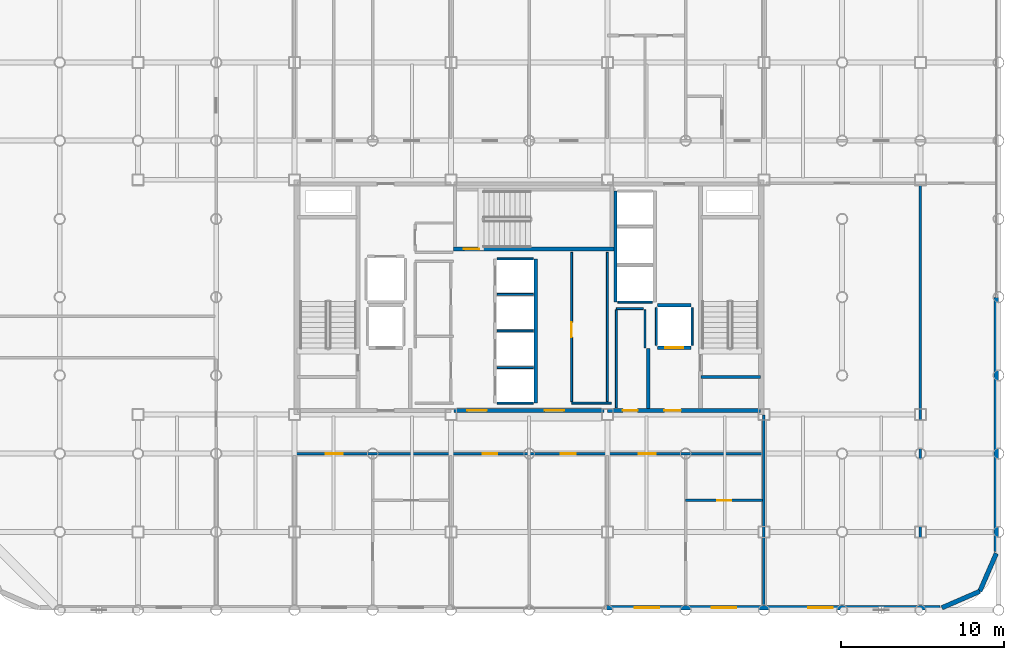
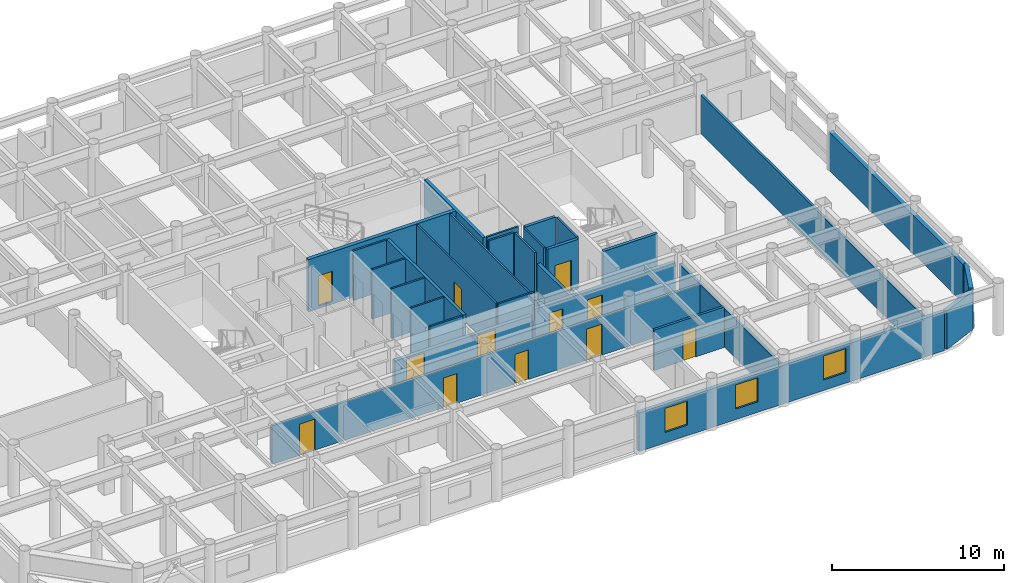
# One storey, part 17 of 20: 31 walls, 12 doors, 3 windows, 15 openings.
"""IFC4 building model written with IfcOpenShell, lengths in metres."""

from ifc_helpers import new_model, si_unit, direction, frame, frame_2d, origin, place, context, subcontext, project, spatial, rectangle, extrude, material, layer, layer_set, type_object, element, fill, save


model = new_model("IFC4")

# Units and contexts
model_context = context("Model", 3, precision=1e-05, world=origin(), true_north=direction((0.0, 1.0)))
body_context = subcontext(model_context, "Body", "Model", "MODEL_VIEW")
ifc_project = project(units=[si_unit("LENGTHUNIT", "METRE"), si_unit("AREAUNIT", "SQUARE_METRE"), si_unit("VOLUMEUNIT", "CUBIC_METRE"), si_unit("PLANEANGLEUNIT", "RADIAN"), si_unit("MASSUNIT", "GRAM", prefix="KILO")], contexts=[model_context])

# Site, building, storey
site_placement = place(None, origin())
site = spatial("IfcSite", under=ifc_project, at=site_placement, CompositionType="ELEMENT")
building_placement = place(site_placement, origin())
building = spatial("IfcBuilding", under=site, at=building_placement, Name="Kallvorn Hotel Tower", CompositionType="ELEMENT")
storey_placement = place(building_placement, frame((0.0, 0.0, 143.300048828125)))
storey = spatial("IfcBuildingStorey", under=building, at=storey_placement, Name="L35", CompositionType="ELEMENT", Elevation=143.300048828125)

# Wall, opening, door
ifc_material_1 = material(Name="Fire-rated double-layer acoustic gypsum drywall EI 60")
ifc_layer_1 = layer(ifc_material_1, 0.159912109375)
ifc_layer_set_1 = layer_set([ifc_layer_1], Name="WL_DEMISE_160")
wall_type_1 = type_object("IfcWallType", Name="WL_DEMISE_160", PredefinedType="PARTITIONING", material=ifc_layer_set_1)
wall_1_placement = place(storey_placement, frame((9.60009765625, -12.469970703125, 0.0), z_axis=(0.0, 0.0, 1.0), x_axis=(1.0, 0.0, 0.0)))
wall_1 = element("IfcWall", 1, at=wall_1_placement, inside=storey, type_object=wall_type_1, Name="L35 Suite 3502 Executive Bedroom Partition", PredefinedType="PARTITIONING", context=body_context, shape_type="SweptSolid", body=[
    extrude(rectangle(XDim=4.719970703125, YDim=0.159912109375, at=frame_2d((2.35986328125, 0.0))), origin(), (0.0, 0.0, 1.0), 2.869873046875),
])
opening_1_placement = place(wall_1_placement, frame((1.929931640625, 0.0, 0.0)))
opening_1 = element("IfcOpeningElement", 2, at=opening_1_placement, cuts=wall_1, Name="Opening BD-I", PredefinedType="OPENING", context=body_context, shape_type="SweptSolid", body=[
    extrude(rectangle(XDim=0.860107421875, YDim=2.10009765625, at=frame_2d((0.43017578125, 1.050048828125))), frame((0.0, 0.094970703125, 0.0), z_axis=(0.0, -1.0, 0.0), x_axis=(1.0, 0.0, 0.0)), (0.0, 0.0, 1.0), 0.18994140625),
])
ifc_material_2 = material(Name="Solid-core walnut veneer fire-rated timber door leaf", Category="wood")
door_type_1 = type_object("IfcDoorType", Name="DR_BATH_860x2100", OperationType="NOTDEFINED", PredefinedType="DOOR", material=ifc_material_2)
door_1_placement = place(opening_1_placement, origin())
door_1 = element("IfcDoor", 3, at=door_1_placement, inside=storey, type_object=door_type_1, Name="L35 Suite 3502 En-Suite Bathroom Door", OperationType="SINGLE_SWING_RIGHT", OverallHeight=2.10009765625, OverallWidth=0.860107421875, PredefinedType="DOOR", context=body_context, shape_type="SweptSolid", body=[
    extrude(rectangle(XDim=0.860107421875, YDim=2.10009765625, at=frame_2d((0.43017578125, 1.050048828125))), frame((0.0, 0.02490234375, 0.0), z_axis=(0.0, -1.0, 0.0), x_axis=(1.0, 0.0, 0.0)), (0.0, 0.0, 1.0), 0.050048828125),
])
fill(opening_1, door_1)

# Wall, openings, doors
wall_2_placement = place(storey_placement, frame((-14.320068359375, -9.60009765625, 0.0), z_axis=(0.0, 0.0, 1.0), x_axis=(1.0, 0.0, 0.0)))
wall_2 = element("IfcWall", 4, at=wall_2_placement, inside=storey, type_object=wall_type_1, Name="L35 Suite 3501 Executive Living Salon Partition", PredefinedType="PARTITIONING", context=body_context, shape_type="SweptSolid", body=[
    extrude(rectangle(XDim=28.64013671875, YDim=0.159912109375, at=frame_2d((14.320068359375, 0.0))), origin(), (0.0, 0.0, 1.0), 2.719970703125),
])
opening_2_placement = place(wall_2_placement, frame((1.8349609375, 0.0, 0.0)))
opening_2 = element("IfcOpeningElement", 5, at=opening_2_placement, cuts=wall_2, Name="Opening GD2", PredefinedType="OPENING", context=body_context, shape_type="SweptSolid", body=[
    extrude(rectangle(XDim=1.050048828125, YDim=2.199951171875, at=frame_2d((0.52490234375, 1.10009765625))), frame((0.0, 0.094970703125, 0.0), z_axis=(0.0, -1.0, 0.0), x_axis=(1.0, 0.0, 0.0)), (0.0, 0.0, 1.0), 0.18994140625),
])
opening_3_placement = place(wall_2_placement, frame((11.469970703125, 0.0, 0.0)))
opening_3 = element("IfcOpeningElement", 6, at=opening_3_placement, cuts=wall_2, Name="Opening SVD1", PredefinedType="OPENING", context=body_context, shape_type="SweptSolid", body=[
    extrude(rectangle(XDim=0.89990234375, YDim=2.10009765625, at=frame_2d((0.449951171875, 1.050048828125))), frame((0.0, 0.094970703125, 0.0), z_axis=(0.0, -1.0, 0.0), x_axis=(1.0, 0.0, 0.0)), (0.0, 0.0, 1.0), 0.18994140625),
])
opening_4_placement = place(wall_2_placement, frame((16.27001953125, 0.0, 0.0)))
opening_4 = element("IfcOpeningElement", 7, at=opening_4_placement, cuts=wall_2, Name="Opening SVD1", PredefinedType="OPENING", context=body_context, shape_type="SweptSolid", body=[
    extrude(rectangle(XDim=0.89990234375, YDim=2.10009765625, at=frame_2d((0.449951171875, 1.050048828125))), frame((0.0, 0.094970703125, 0.0), z_axis=(0.0, -1.0, 0.0), x_axis=(1.0, 0.0, 0.0)), (0.0, 0.0, 1.0), 0.18994140625),
])
opening_5_placement = place(wall_2_placement, frame((21.034912109375, 0.0, 0.0)))
opening_5 = element("IfcOpeningElement", 8, at=opening_5_placement, cuts=wall_2, Name="Opening GD2", PredefinedType="OPENING", context=body_context, shape_type="SweptSolid", body=[
    extrude(rectangle(XDim=1.050048828125, YDim=2.199951171875, at=frame_2d((0.52490234375, 1.10009765625))), frame((0.0, 0.094970703125, 0.0), z_axis=(0.0, -1.0, 0.0), x_axis=(1.0, 0.0, 0.0)), (0.0, 0.0, 1.0), 0.18994140625),
])
ifc_material_3 = material(Name="Galvanised painted steel fire-rated door assembly", Category="steel")
door_type_2 = type_object("IfcDoorType", Name="DR_SERV_900x2100", OperationType="NOTDEFINED", PredefinedType="DOOR", material=ifc_material_3)
door_2_placement = place(opening_3_placement, origin())
door_2 = element("IfcDoor", 9, at=door_2_placement, inside=storey, type_object=door_type_2, Name="L35 L35 Executive Co-Working Open-Plan Office 2-1 Door", OperationType="SINGLE_SWING_LEFT", OverallHeight=2.10009765625, OverallWidth=0.89990234375, PredefinedType="DOOR", context=body_context, shape_type="SweptSolid", body=[
    extrude(rectangle(XDim=0.89990234375, YDim=2.10009765625, at=frame_2d((0.449951171875, 1.050048828125))), frame((0.0, 0.02490234375, 0.0), z_axis=(0.0, -1.0, 0.0), x_axis=(1.0, 0.0, 0.0)), (0.0, 0.0, 1.0), 0.050048828125),
])
fill(opening_3, door_2)
door_3_placement = place(opening_4_placement, origin())
door_3 = element("IfcDoor", 10, at=door_3_placement, inside=storey, type_object=door_type_2, Name="L35 L35 Executive Co-Working Open-Plan Office 2-2 Door", OperationType="SINGLE_SWING_RIGHT", OverallHeight=2.10009765625, OverallWidth=0.89990234375, PredefinedType="DOOR", context=body_context, shape_type="SweptSolid", body=[
    extrude(rectangle(XDim=0.89990234375, YDim=2.10009765625, at=frame_2d((0.449951171875, 1.050048828125))), frame((0.0, 0.02490234375, 0.0), z_axis=(0.0, -1.0, 0.0), x_axis=(1.0, 0.0, 0.0)), (0.0, 0.0, 1.0), 0.050048828125),
])
fill(opening_4, door_3)
ifc_material_4 = material(Name="Solid-core walnut veneer fire-rated timber door leaf", Category="wood")
door_type_3 = type_object("IfcDoorType", Name="DR_SUITE_1050x2200", OperationType="NOTDEFINED", PredefinedType="DOOR", material=ifc_material_4)
door_4_placement = place(opening_2_placement, origin())
door_4 = element("IfcDoor", 11, at=door_4_placement, inside=storey, type_object=door_type_3, Name="L35 Suite 3501 Executive Living Salon Door", OperationType="SINGLE_SWING_RIGHT", OverallHeight=2.199951171875, OverallWidth=1.050048828125, PredefinedType="DOOR", context=body_context, shape_type="SweptSolid", body=[
    extrude(rectangle(XDim=1.050048828125, YDim=2.199951171875, at=frame_2d((0.52490234375, 1.10009765625))), frame((0.0, 0.02490234375, 0.0), z_axis=(0.0, -1.0, 0.0), x_axis=(1.0, 0.0, 0.0)), (0.0, 0.0, 1.0), 0.050048828125),
])
fill(opening_2, door_4)
door_5_placement = place(opening_5_placement, origin())
door_5 = element("IfcDoor", 12, at=door_5_placement, inside=storey, type_object=door_type_3, Name="L35 Suite 3502 Executive Living Salon Door", OperationType="SINGLE_SWING_RIGHT", OverallHeight=2.199951171875, OverallWidth=1.050048828125, PredefinedType="DOOR", context=body_context, shape_type="SweptSolid", body=[
    extrude(rectangle(XDim=1.050048828125, YDim=2.199951171875, at=frame_2d((0.52490234375, 1.10009765625))), frame((0.0, 0.02490234375, 0.0), z_axis=(0.0, -1.0, 0.0), x_axis=(1.0, 0.0, 0.0)), (0.0, 0.0, 1.0), 0.050048828125),
])
fill(opening_5, door_5)

# Walls
wall_3_placement = place(storey_placement, frame((14.39990234375, -18.909912109375, 0.0), z_axis=(0.0, 0.0, 1.0), x_axis=(0.0, 1.0, 0.0)))
element("IfcWall", 13, at=wall_3_placement, inside=storey, type_object=wall_type_1, Name="L35 Suite 3502 Executive Bedroom Partition", PredefinedType="PARTITIONING", context=body_context, shape_type="SweptSolid", body=[
    extrude(rectangle(XDim=11.669921875, YDim=0.159912109375, at=frame_2d((5.8349609375, 0.0))), origin(), (0.0, 0.0, 1.0), 2.719970703125),
])
ifc_material_5 = material(Name="Precast basalt-clad insulated concrete wall C40/50", Category="masonry")
ifc_layer_2 = layer(ifc_material_5, 0.280029296875)
ifc_layer_set_2 = layer_set([ifc_layer_2], Name="WL_EXT_LOGGIA_280")
wall_type_2 = type_object("IfcWallType", Name="WL_EXT_LOGGIA_280", PredefinedType="SOLIDWALL", material=ifc_layer_set_2)
wall_4_placement = place(storey_placement, frame((25.32080078125, -19.057861328125, 0.0), z_axis=(0.0, 0.0, 1.0), x_axis=(0.917060872934, 0.398747232384, 0.0)))
element("IfcWall", 14, at=wall_4_placement, inside=storey, type_object=wall_type_2, Name="L35 Rounded Corner Exterior Wall SE1", PredefinedType="SOLIDWALL", context=body_context, shape_type="SweptSolid", body=[
    extrude(rectangle(XDim=2.5361328125, YDim=0.280029296875, at=frame_2d((1.26806640625, 0.0))), origin(), (0.0, 0.0, 1.0), 2.719970703125),
])
wall_5_placement = place(storey_placement, frame((27.646484375, -18.046630859375, 0.0), z_axis=(0.0, 0.0, 1.0), x_axis=(0.398792985289, 0.917040977756, 0.0)))
element("IfcWall", 15, at=wall_5_placement, inside=storey, type_object=wall_type_2, Name="L35 Rounded Corner Exterior Wall SE2", PredefinedType="SOLIDWALL", context=body_context, shape_type="SweptSolid", body=[
    extrude(rectangle(XDim=2.536376953125, YDim=0.280029296875, at=frame_2d((1.26806640625, 0.0))), origin(), (0.0, 0.0, 1.0), 2.869873046875),
])

# Wall, openings, windows
wall_6_placement = place(storey_placement, frame((4.75, -19.06005859375, 0.0), z_axis=(0.0, 0.0, 1.0), x_axis=(1.0, 0.0, 0.0)))
wall_6 = element("IfcWall", 16, at=wall_6_placement, inside=storey, type_object=wall_type_2, Name="L35 Exterior Envelope Wall EW-L35-SE", PredefinedType="SOLIDWALL", context=body_context, shape_type="SweptSolid", body=[
    extrude(rectangle(XDim=20.449951171875, YDim=0.280029296875, at=frame_2d((10.22509765625, 0.0))), origin(), (0.0, 0.0, 1.0), 2.719970703125),
])
opening_6_placement = place(wall_6_placement, frame((12.360107421875, 0.0, 0.75)))
opening_6 = element("IfcOpeningElement", 17, at=opening_6_placement, cuts=wall_6, Name="Opening W05", PredefinedType="OPENING", context=body_context, shape_type="SweptSolid", body=[
    extrude(rectangle(XDim=1.5, YDim=1.699951171875, at=frame_2d((0.75, 0.85009765625))), frame((0.0, 0.155029296875, 0.0), z_axis=(0.0, -1.0, 0.0), x_axis=(1.0, 0.0, 0.0)), (0.0, 0.0, 1.0), 0.31005859375),
])
opening_7_placement = place(wall_6_placement, frame((1.739990234375, 0.0, 0.75)))
opening_7 = element("IfcOpeningElement", 18, at=opening_7_placement, cuts=wall_6, Name="Opening W05", PredefinedType="OPENING", context=body_context, shape_type="SweptSolid", body=[
    extrude(rectangle(XDim=1.5, YDim=1.699951171875, at=frame_2d((0.75, 0.85009765625))), frame((0.0, 0.155029296875, 0.0), z_axis=(0.0, -1.0, 0.0), x_axis=(1.0, 0.0, 0.0)), (0.0, 0.0, 1.0), 0.31005859375),
])
opening_8_placement = place(wall_6_placement, frame((6.4599609375, 0.0, 0.75)))
opening_8 = element("IfcOpeningElement", 19, at=opening_8_placement, cuts=wall_6, Name="Opening W05", PredefinedType="OPENING", context=body_context, shape_type="SweptSolid", body=[
    extrude(rectangle(XDim=1.5, YDim=1.699951171875, at=frame_2d((0.75, 0.85009765625))), frame((0.0, 0.155029296875, 0.0), z_axis=(0.0, -1.0, 0.0), x_axis=(1.0, 0.0, 0.0)), (0.0, 0.0, 1.0), 0.31005859375),
])
ifc_material_6 = material(Name="Double-glazed low-e solar-control dark glass", Category="glass")
window_type = type_object("IfcWindowType", Name="WN_HTL_1500x1700", PartitioningType="SINGLE_PANEL", PredefinedType="WINDOW", material=ifc_material_6)
window_1_placement = place(opening_6_placement, origin())
window_1 = element("IfcWindow", 20, at=window_1_placement, inside=storey, type_object=window_type, Name="L35 Guestroom Exterior Window 04", OverallHeight=1.699951171875, OverallWidth=1.5, PartitioningType="SINGLE_PANEL", PredefinedType="WINDOW", context=body_context, shape_type="SweptSolid", body=[
    extrude(rectangle(XDim=1.5, YDim=1.699951171875, at=frame_2d((0.75, 0.85009765625))), frame((0.0, 0.030029296875, 0.0), z_axis=(0.0, -1.0, 0.0), x_axis=(1.0, 0.0, 0.0)), (0.0, 0.0, 1.0), 0.06005859375),
])
fill(opening_6, window_1)
window_2_placement = place(opening_7_placement, origin())
window_2 = element("IfcWindow", 21, at=window_2_placement, inside=storey, type_object=window_type, Name="L35 Guestroom Exterior Window 07", OverallHeight=1.699951171875, OverallWidth=1.5, PartitioningType="SINGLE_PANEL", PredefinedType="WINDOW", context=body_context, shape_type="SweptSolid", body=[
    extrude(rectangle(XDim=1.5, YDim=1.699951171875, at=frame_2d((0.75, 0.85009765625))), frame((0.0, 0.030029296875, 0.0), z_axis=(0.0, -1.0, 0.0), x_axis=(1.0, 0.0, 0.0)), (0.0, 0.0, 1.0), 0.06005859375),
])
fill(opening_7, window_2)
window_3_placement = place(opening_8_placement, origin())
window_3 = element("IfcWindow", 22, at=window_3_placement, inside=storey, type_object=window_type, Name="L35 Guestroom Exterior Window 08", OverallHeight=1.699951171875, OverallWidth=1.5, PartitioningType="SINGLE_PANEL", PredefinedType="WINDOW", context=body_context, shape_type="SweptSolid", body=[
    extrude(rectangle(XDim=1.5, YDim=1.699951171875, at=frame_2d((0.75, 0.85009765625))), frame((0.0, 0.030029296875, 0.0), z_axis=(0.0, -1.0, 0.0), x_axis=(1.0, 0.0, 0.0)), (0.0, 0.0, 1.0), 0.06005859375),
])
fill(opening_8, window_3)

# Walls
wall_7_placement = place(storey_placement, frame((28.659912109375, -15.60009765625, 0.0), z_axis=(0.0, 0.0, 1.0), x_axis=(0.0, 1.0, 0.0)))
element("IfcWall", 23, at=wall_7_placement, inside=storey, type_object=wall_type_2, Name="L35 Exterior Envelope Wall EW-L35-ES", PredefinedType="SOLIDWALL", context=body_context, shape_type="SweptSolid", body=[
    extrude(rectangle(XDim=15.580078125, YDim=0.280029296875, at=frame_2d((7.7900390625, 0.0))), origin(), (0.0, 0.0, 1.0), 2.719970703125),
])
ifc_material_7 = material(Name="Concrete C40/50", Category="concrete")
ifc_layer_3 = layer(ifc_material_7, 0.219970703125)
ifc_layer_set_3 = layer_set([ifc_layer_3], Name="WL_FFL_220")
wall_type_3 = type_object("IfcWallType", Name="WL_FFL_220", PredefinedType="SOLIDWALL", material=ifc_layer_set_3)
wall_8_placement = place(storey_placement, frame((7.300048828125, -6.820068359375, 0.0), z_axis=(0.0, 0.0, 1.0), x_axis=(0.0, 1.0, 0.0)))
element("IfcWall", 24, at=wall_8_placement, inside=storey, type_object=wall_type_3, Name="L35 Firefighting Lobby East Divider Wall", PredefinedType="SOLIDWALL", context=body_context, shape_type="SweptSolid", body=[
    extrude(rectangle(XDim=3.670166015625, YDim=0.219970703125, at=frame_2d((1.8349609375, 0.0))), origin(), (0.0, 0.0, 1.0), 2.719970703125),
])
ifc_material_8 = material(Name="Concrete C40/50", Category="concrete")
ifc_layer_4 = layer(ifc_material_8, 0.199951171875)
ifc_layer_set_4 = layer_set([ifc_layer_4], Name="WL_HOIST_200")
wall_type_4 = type_object("IfcWallType", Name="WL_HOIST_200", PredefinedType="SOLIDWALL", material=ifc_layer_set_4)
wall_9_placement = place(storey_placement, frame((10.550048828125, -4.89990234375, -0.179931640625), z_axis=(0.0, 0.0, 1.0), x_axis=(1.0, 0.0, 0.0)))
element("IfcWall", 25, at=wall_9_placement, inside=storey, type_object=wall_type_4, Name="L35 Stair ST2 South Wall", PredefinedType="SOLIDWALL", context=body_context, shape_type="SweptSolid", body=[
    extrude(rectangle(XDim=3.64990234375, YDim=0.199951171875, at=frame_2d((1.824951171875, 0.0))), origin(), (0.0, 0.0, 1.0), 3.699951171875),
])
wall_10_placement = place(storey_placement, frame((0.39990234375, -6.5, 0.0), z_axis=(0.0, 0.0, 1.0), x_axis=(0.0, 1.0, 0.0)))
element("IfcWall", 26, at=wall_10_placement, inside=storey, type_object=wall_type_4, Name="L35 Lift Bank B2 Rear Shaft Wall", PredefinedType="SOLIDWALL", context=body_context, shape_type="SweptSolid", body=[
    extrude(rectangle(XDim=8.85009765625, YDim=0.199951171875, at=frame_2d((4.425048828125, 0.0))), origin(), (0.0, 0.0, 1.0), 3.52001953125),
])
wall_11_placement = place(storey_placement, frame((5.300048828125, -0.300048828125, 0.0), z_axis=(0.0, 0.0, 1.0), x_axis=(0.0, 1.0, 0.0)))
element("IfcWall", 27, at=wall_11_placement, inside=storey, type_object=wall_type_4, Name="L35 Lift Bank OBS Rear Shaft Wall", PredefinedType="SOLIDWALL", context=body_context, shape_type="SweptSolid", body=[
    extrude(rectangle(XDim=6.800048828125, YDim=0.199951171875, at=frame_2d((3.39990234375, 0.0))), origin(), (0.0, 0.0, 1.0), 3.52001953125),
])

# Wall, opening, door
wall_12_placement = place(storey_placement, frame((7.8798828125, -3.10009765625, 0.0), z_axis=(0.0, 0.0, 1.0), x_axis=(1.0, 0.0, 0.0)))
wall_12 = element("IfcWall", 28, at=wall_12_placement, inside=storey, type_object=wall_type_4, Name="L35 FL-2 Landing Wall", PredefinedType="SOLIDWALL", context=body_context, shape_type="SweptSolid", body=[
    extrude(rectangle(XDim=2.0400390625, YDim=0.199951171875, at=frame_2d((1.02001953125, 0.0))), origin(), (0.0, 0.0, 1.0), 3.52001953125),
])
opening_9_placement = place(wall_12_placement, frame((0.469970703125, 0.0, 0.0)))
opening_9 = element("IfcOpeningElement", 29, at=opening_9_placement, cuts=wall_12, Name="Opening LD-FL-2", PredefinedType="OPENING", context=body_context, shape_type="SweptSolid", body=[
    extrude(rectangle(XDim=1.10009765625, YDim=2.199951171875, at=frame_2d((0.550048828125, 1.10009765625))), frame((0.0, 0.114990234375, 0.0), z_axis=(0.0, -1.0, 0.0), x_axis=(1.0, 0.0, 0.0)), (0.0, 0.0, 1.0), 0.22998046875),
])
ifc_material_9 = material(Name="Brushed stainless-steel automatic sliding lift landing door", Category="steel")
door_type_4 = type_object("IfcDoorType", Name="LD_PASS_1100x2200", OperationType="SLIDING_TO_LEFT", PredefinedType="DOOR", material=ifc_material_9)
door_6_placement = place(opening_9_placement, origin())
door_6 = element("IfcDoor", 30, at=door_6_placement, inside=storey, type_object=door_type_4, Name="L35 Lift Landing Sliding Door LD-FL-2", OperationType="SLIDING_TO_LEFT", OverallHeight=2.199951171875, OverallWidth=1.10009765625, PredefinedType="DOOR", context=body_context, shape_type="SweptSolid", body=[
    extrude(rectangle(XDim=1.10009765625, YDim=2.199951171875, at=frame_2d((0.550048828125, 1.10009765625))), frame((0.0, 0.02490234375, 0.0), z_axis=(0.0, -1.0, 0.0), x_axis=(1.0, 0.0, 0.0)), (0.0, 0.0, 1.0), 0.050048828125),
])
fill(opening_9, door_6)

# Walls
wall_13_placement = place(storey_placement, frame((7.8798828125, -0.5, 0.0), z_axis=(0.0, 0.0, 1.0), x_axis=(1.0, 0.0, 0.0)))
element("IfcWall", 31, at=wall_13_placement, inside=storey, type_object=wall_type_4, Name="L35 FL-2 Rear Shaft Wall", PredefinedType="SOLIDWALL", context=body_context, shape_type="SweptSolid", body=[
    extrude(rectangle(XDim=2.0400390625, YDim=0.199951171875, at=frame_2d((1.02001953125, 0.0))), origin(), (0.0, 0.0, 1.0), 3.52001953125),
])
ifc_material_10 = material(Name="Fire-rated double-layer acoustic gypsum drywall EI 60")
ifc_layer_5 = layer(ifc_material_10, 0.1201171875)
ifc_layer_set_5 = layer_set([ifc_layer_5], Name="WL_INT_120")
wall_type_5 = type_object("IfcWallType", Name="WL_INT_120", PredefinedType="PARTITIONING", material=ifc_layer_set_5)
for number, where, z_axis, x_axis, name in (
    (32, (-1.9599609375, -6.5, 0.0), (0.0, 0.0, 1.0), (1.0, 0.0, 0.0), "L35 Lift Bank B2 South Closure Wall"),
    (33, (-1.9599609375, -4.324951171875, 0.0), (0.0, 0.0, 1.0), (1.0, 0.0, 0.0), "L35 PL-05 Hoistway Divider"),
    (34, (-1.9599609375, -2.074951171875, 0.0), (0.0, 0.0, 1.0), (1.0, 0.0, 0.0), "L35 PL-06 Hoistway Divider"),
    (35, (-1.9599609375, 0.175048828125, 0.0), (0.0, 0.0, 1.0), (1.0, 0.0, 0.0), "L35 PL-07 Hoistway Divider"),
    (36, (-1.9599609375, 2.35009765625, 0.0), (0.0, 0.0, 1.0), (1.0, 0.0, 0.0), "L35 PL-08 Hoistway Divider"),
):
    element("IfcWall", number, at=place(storey_placement, frame(where, z_axis=z_axis, x_axis=x_axis)), inside=storey, type_object=wall_type_5, Name=name, PredefinedType="PARTITIONING", context=body_context, shape_type="SweptSolid", body=[
        extrude(rectangle(XDim=2.219970703125, YDim=0.1201171875, at=frame_2d((1.10986328125, 0.0))), origin(), (0.0, 0.0, 1.0), 3.52001953125),
    ])
wall_14_placement = place(storey_placement, frame((5.43994140625, -0.300048828125, 0.0), z_axis=(0.0, 0.0, 1.0), x_axis=(1.0, 0.0, 0.0)))
element("IfcWall", 37, at=wall_14_placement, inside=storey, type_object=wall_type_5, Name="L35 Lift Bank OBS South Closure Wall", PredefinedType="PARTITIONING", context=body_context, shape_type="SweptSolid", body=[
    extrude(rectangle(XDim=2.1201171875, YDim=0.1201171875, at=frame_2d((1.06005859375, 0.0))), origin(), (0.0, 0.0, 1.0), 3.52001953125),
])
for number, where, z_axis, x_axis, name in (
    (38, (7.800048828125, -2.9599609375, 0.0), (0.0, 0.0, 1.0), (0.0, 1.0, 0.0), "L35 FL-2 West Shaft Wall"),
    (39, (10.0, -2.9599609375, 0.0), (0.0, 0.0, 1.0), (0.0, 1.0, 0.0), "L35 FL-2 East Shaft Wall"),
):
    element("IfcWall", number, at=place(storey_placement, frame(where, z_axis=z_axis, x_axis=x_axis)), inside=storey, type_object=wall_type_5, Name=name, PredefinedType="PARTITIONING", context=body_context, shape_type="SweptSolid", body=[
        extrude(rectangle(XDim=2.320068359375, YDim=0.1201171875, at=frame_2d((1.16015625, 0.0))), origin(), (0.0, 0.0, 1.0), 3.52001953125),
    ])
wall_15_placement = place(storey_placement, frame((2.60009765625, -6.5, 0.0), z_axis=(0.0, 0.0, 1.0), x_axis=(1.0, 0.0, 0.0)))
element("IfcWall", 40, at=wall_15_placement, inside=storey, type_object=wall_type_5, Name="L35 East Core Consolidated Linen and Supply Store Partition", PredefinedType="PARTITIONING", context=body_context, shape_type="SweptSolid", body=[
    extrude(rectangle(XDim=2.449951171875, YDim=0.1201171875, at=frame_2d((1.22509765625, 0.0))), origin(), (0.0, 0.0, 1.0), 3.52001953125),
])
wall_16_placement = place(storey_placement, frame((5.35009765625, -0.699951171875, 0.0), z_axis=(0.0, 0.0, 1.0), x_axis=(1.0, 0.0, 0.0)))
element("IfcWall", 41, at=wall_16_placement, inside=storey, type_object=wall_type_5, Name="L35 Core Utility and Meter Room Partition", PredefinedType="PARTITIONING", context=body_context, shape_type="SweptSolid", body=[
    extrude(rectangle(XDim=1.64990234375, YDim=0.1201171875, at=frame_2d((0.824951171875, 0.0))), origin(), (0.0, 0.0, 1.0), 3.52001953125),
])

# Wall, opening, door
wall_17_placement = place(storey_placement, frame((2.60009765625, -6.4150390625, 0.0), z_axis=(0.0, 0.0, 1.0), x_axis=(0.0, 1.0, 0.0)))
wall_17 = element("IfcWall", 42, at=wall_17_placement, inside=storey, type_object=wall_type_5, Name="L35 East Core Consolidated Linen and Supply Store Partition", PredefinedType="PARTITIONING", context=body_context, shape_type="SweptSolid", body=[
    extrude(rectangle(XDim=9.1650390625, YDim=0.1201171875, at=frame_2d((4.58251953125, 0.0))), origin(), (0.0, 0.0, 1.0), 3.52001953125),
])
opening_10_placement = place(wall_17_placement, frame((3.965087890625, 0.0, 0.0)))
opening_10 = element("IfcOpeningElement", 43, at=opening_10_placement, cuts=wall_17, Name="Opening SVD1", PredefinedType="OPENING", context=body_context, shape_type="SweptSolid", body=[
    extrude(rectangle(XDim=0.89990234375, YDim=2.10009765625, at=frame_2d((0.449951171875, 1.050048828125))), frame((0.0, 0.074951171875, 0.0), z_axis=(0.0, -1.0, 0.0), x_axis=(1.0, 0.0, 0.0)), (0.0, 0.0, 1.0), 0.150146484375),
])
door_7_placement = place(opening_10_placement, origin())
door_7 = element("IfcDoor", 44, at=door_7_placement, inside=storey, type_object=door_type_2, Name="L35 East Core Consolidated Linen and Supply Store Door", OperationType="SINGLE_SWING_RIGHT", OverallHeight=2.10009765625, OverallWidth=0.89990234375, PredefinedType="DOOR", context=body_context, shape_type="SweptSolid", body=[
    extrude(rectangle(XDim=0.89990234375, YDim=2.10009765625, at=frame_2d((0.449951171875, 1.050048828125))), frame((0.0, 0.02490234375, 0.0), z_axis=(0.0, -1.0, 0.0), x_axis=(1.0, 0.0, 0.0)), (0.0, 0.0, 1.0), 0.050048828125),
])
fill(opening_10, door_7)

# Walls
wall_18_placement = place(storey_placement, frame((4.800048828125, -6.4150390625, 0.0), z_axis=(0.0, 0.0, 1.0), x_axis=(0.0, 1.0, 0.0)))
element("IfcWall", 45, at=wall_18_placement, inside=storey, type_object=wall_type_5, Name="L35 East Core Consolidated Linen and Supply Store Partition", PredefinedType="PARTITIONING", context=body_context, shape_type="SweptSolid", body=[
    extrude(rectangle(XDim=9.1650390625, YDim=0.1201171875, at=frame_2d((4.58251953125, 0.0))), origin(), (0.0, 0.0, 1.0), 3.52001953125),
])
wall_19_placement = place(storey_placement, frame((5.35009765625, -6.800048828125, 0.0), z_axis=(0.0, 0.0, 1.0), x_axis=(0.0, 1.0, 0.0)))
element("IfcWall", 46, at=wall_19_placement, inside=storey, type_object=wall_type_5, Name="L35 Core Utility and Meter Room Partition", PredefinedType="PARTITIONING", context=body_context, shape_type="SweptSolid", body=[
    extrude(rectangle(XDim=6.01513671875, YDim=0.1201171875, at=frame_2d((3.007568359375, 0.0))), origin(), (0.0, 0.0, 1.0), 2.719970703125),
])
wall_20_placement = place(storey_placement, frame((7.106689453125, -3.110107421875, 0.0), z_axis=(0.0, 0.0, 1.0), x_axis=(0.0, 1.0, 0.0)))
element("IfcWall", 47, at=wall_20_placement, inside=storey, type_object=wall_type_5, Name="L35 Core Utility and Meter Room Partition", PredefinedType="PARTITIONING", context=body_context, shape_type="SweptSolid", body=[
    extrude(rectangle(XDim=2.3251953125, YDim=0.1201171875, at=frame_2d((1.16259765625, 0.0))), origin(), (0.0, 0.0, 1.0), 3.52001953125),
])
ifc_material_11 = material(Name="Fire-rated double-layer acoustic gypsum drywall EI 60")
ifc_layer_6 = layer(ifc_material_11, 0.14990234375)
ifc_layer_set_6 = layer_set([ifc_layer_6], Name="WL_PART_150")
wall_type_6 = type_object("IfcWallType", Name="WL_PART_150", PredefinedType="PARTITIONING", material=ifc_layer_set_6)
wall_21_placement = place(storey_placement, frame((24.0, -18.909912109375, 0.0), z_axis=(0.0, 0.0, 1.0), x_axis=(0.0, 1.0, 0.0)))
element("IfcWall", 48, at=wall_21_placement, inside=storey, type_object=wall_type_6, Name="L35 L35 Far-East Design Boutique Partition", PredefinedType="PARTITIONING", context=body_context, shape_type="SweptSolid", body=[
    extrude(rectangle(XDim=25.804931640625, YDim=0.14990234375, at=frame_2d((12.90234375, 0.0))), origin(), (0.0, 0.0, 1.0), 2.719970703125),
])

# Wall, openings, doors
ifc_material_12 = material(Name="Concrete C40/50", Category="concrete")
ifc_layer_7 = layer(ifc_material_12, 0.25)
ifc_layer_set_7 = layer_set([ifc_layer_7], Name="WL_SHAFT_250")
wall_type_7 = type_object("IfcWallType", Name="WL_SHAFT_250", PredefinedType="SOLIDWALL", material=ifc_layer_set_7)
wall_22_placement = place(storey_placement, frame((-4.60009765625, -6.949951171875, 0.0), z_axis=(0.0, 0.0, 1.0), x_axis=(1.0, 0.0, 0.0)))
wall_22 = element("IfcWall", 49, at=wall_22_placement, inside=storey, type_object=wall_type_7, Name="L35 Core South-Central Wall", PredefinedType="SOLIDWALL", context=body_context, shape_type="SweptSolid", body=[
    extrude(rectangle(XDim=9.2001953125, YDim=0.25, at=frame_2d((4.60009765625, 0.0))), origin(), (0.0, 0.0, 1.0), 2.320068359375),
])
opening_11_placement = place(wall_22_placement, frame((0.800048828125, 0.0, 0.0)))
opening_11 = element("IfcOpeningElement", 50, at=opening_11_placement, cuts=wall_22, Name="Opening FD2", PredefinedType="OPENING", context=body_context, shape_type="SweptSolid", body=[
    extrude(rectangle(XDim=1.199951171875, YDim=2.199951171875, at=frame_2d((0.60009765625, 1.10009765625))), frame((0.0, 0.139892578125, 0.0), z_axis=(0.0, -1.0, 0.0), x_axis=(1.0, 0.0, 0.0)), (0.0, 0.0, 1.0), 0.280029296875),
])
opening_12_placement = place(wall_22_placement, frame((5.550048828125, 0.0, 0.0)))
opening_12 = element("IfcOpeningElement", 51, at=opening_12_placement, cuts=wall_22, Name="Opening FD2", PredefinedType="OPENING", context=body_context, shape_type="SweptSolid", body=[
    extrude(rectangle(XDim=1.199951171875, YDim=2.199951171875, at=frame_2d((0.60009765625, 1.10009765625))), frame((0.0, 0.139892578125, 0.0), z_axis=(0.0, -1.0, 0.0), x_axis=(1.0, 0.0, 0.0)), (0.0, 0.0, 1.0), 0.280029296875),
])
ifc_material_13 = material(Name="Galvanised painted steel fire-rated door assembly", Category="steel")
door_type_5 = type_object("IfcDoorType", Name="DR_LOBBY_1200x2200", OperationType="DOUBLE_DOOR_SINGLE_SWING", PredefinedType="DOOR", material=ifc_material_13)
door_8_placement = place(opening_11_placement, origin())
door_8 = element("IfcDoor", 52, at=door_8_placement, inside=storey, type_object=door_type_5, Name="L35 West Passenger Lift Lobby Door", OperationType="DOUBLE_DOOR_SINGLE_SWING", OverallHeight=2.199951171875, OverallWidth=1.199951171875, PredefinedType="DOOR", context=body_context, shape_type="SweptSolid", body=[
    extrude(rectangle(XDim=1.199951171875, YDim=2.199951171875, at=frame_2d((0.60009765625, 1.10009765625))), frame((0.0, 0.02490234375, 0.0), z_axis=(0.0, -1.0, 0.0), x_axis=(1.0, 0.0, 0.0)), (0.0, 0.0, 1.0), 0.050048828125),
])
fill(opening_11, door_8)
door_9_placement = place(opening_12_placement, origin())
door_9 = element("IfcDoor", 53, at=door_9_placement, inside=storey, type_object=door_type_5, Name="L35 East Passenger Lift Lobby Door", OperationType="DOUBLE_DOOR_SINGLE_SWING", OverallHeight=2.199951171875, OverallWidth=1.199951171875, PredefinedType="DOOR", context=body_context, shape_type="SweptSolid", body=[
    extrude(rectangle(XDim=1.199951171875, YDim=2.199951171875, at=frame_2d((0.60009765625, 1.10009765625))), frame((0.0, 0.02490234375, 0.0), z_axis=(0.0, -1.0, 0.0), x_axis=(1.0, 0.0, 0.0)), (0.0, 0.0, 1.0), 0.050048828125),
])
fill(opening_12, door_9)

wall_23_placement = place(storey_placement, frame((4.800048828125, -6.949951171875, 0.0), z_axis=(0.0, 0.0, 1.0), x_axis=(1.0, 0.0, 0.0)))
wall_23 = element("IfcWall", 54, at=wall_23_placement, inside=storey, type_object=wall_type_7, Name="L35 Core South-East Wall", PredefinedType="SOLIDWALL", context=body_context, shape_type="SweptSolid", body=[
    extrude(rectangle(XDim=9.39990234375, YDim=0.25, at=frame_2d((4.699951171875, 0.0))), origin(), (0.0, 0.0, 1.0), 2.719970703125),
])
opening_13_placement = place(wall_23_placement, frame((3.5, 0.0, 0.0)))
opening_13 = element("IfcOpeningElement", 55, at=opening_13_placement, cuts=wall_23, Name="Opening FD1", PredefinedType="OPENING", context=body_context, shape_type="SweptSolid", body=[
    extrude(rectangle(XDim=1.0, YDim=2.14990234375, at=frame_2d((0.5, 1.074951171875))), frame((0.0, 0.139892578125, 0.0), z_axis=(0.0, -1.0, 0.0), x_axis=(1.0, 0.0, 0.0)), (0.0, 0.0, 1.0), 0.280029296875),
])
opening_14_placement = place(wall_23_placement, frame((0.949951171875, 0.0, 0.0)))
opening_14 = element("IfcOpeningElement", 56, at=opening_14_placement, cuts=wall_23, Name="Opening SVD1", PredefinedType="OPENING", context=body_context, shape_type="SweptSolid", body=[
    extrude(rectangle(XDim=0.89990234375, YDim=2.10009765625, at=frame_2d((0.449951171875, 1.050048828125))), frame((0.0, 0.139892578125, 0.0), z_axis=(0.0, -1.0, 0.0), x_axis=(1.0, 0.0, 0.0)), (0.0, 0.0, 1.0), 0.280029296875),
])
ifc_material_14 = material(Name="Galvanised painted steel fire-rated door assembly", Category="steel")
door_type_6 = type_object("IfcDoorType", Name="DR_FFL_1000x2150", OperationType="NOTDEFINED", PredefinedType="DOOR", material=ifc_material_14)
door_10_placement = place(opening_13_placement, origin())
door_10 = element("IfcDoor", 57, at=door_10_placement, inside=storey, type_object=door_type_6, Name="L35 Firefighting Lobby East Door", OperationType="SINGLE_SWING_LEFT", OverallHeight=2.14990234375, OverallWidth=1.0, PredefinedType="DOOR", context=body_context, shape_type="SweptSolid", body=[
    extrude(rectangle(XDim=1.0, YDim=2.14990234375, at=frame_2d((0.5, 1.074951171875))), frame((0.0, 0.02490234375, 0.0), z_axis=(0.0, -1.0, 0.0), x_axis=(1.0, 0.0, 0.0)), (0.0, 0.0, 1.0), 0.050048828125),
])
fill(opening_13, door_10)
door_11_placement = place(opening_14_placement, origin())
door_11 = element("IfcDoor", 58, at=door_11_placement, inside=storey, type_object=door_type_2, Name="L35 Core Utility and Meter Room Door", OperationType="SINGLE_SWING_LEFT", OverallHeight=2.10009765625, OverallWidth=0.89990234375, PredefinedType="DOOR", context=body_context, shape_type="SweptSolid", body=[
    extrude(rectangle(XDim=0.89990234375, YDim=2.10009765625, at=frame_2d((0.449951171875, 1.050048828125))), frame((0.0, 0.02490234375, 0.0), z_axis=(0.0, -1.0, 0.0), x_axis=(1.0, 0.0, 0.0)), (0.0, 0.0, 1.0), 0.050048828125),
])
fill(opening_14, door_11)

# Wall, opening, door
wall_24_placement = place(storey_placement, frame((-4.64990234375, 2.949951171875, -0.179931640625), z_axis=(0.0, 0.0, 1.0), x_axis=(1.0, 0.0, 0.0)))
wall_24 = element("IfcWall", 59, at=wall_24_placement, inside=storey, type_object=wall_type_7, Name="L35 Stair ST3 Shaft South Wall", PredefinedType="SOLIDWALL", context=body_context, shape_type="SweptSolid", body=[
    extrude(rectangle(XDim=9.89990234375, YDim=0.25, at=frame_2d((4.949951171875, 0.0))), origin(), (0.0, 0.0, 1.0), 3.699951171875),
])
opening_15_placement = place(wall_24_placement, frame((0.64990234375, 0.0, 0.179931640625)))
opening_15 = element("IfcOpeningElement", 60, at=opening_15_placement, cuts=wall_24, Name="Opening SD1", PredefinedType="OPENING", context=body_context, shape_type="SweptSolid", body=[
    extrude(rectangle(XDim=0.949951171875, YDim=2.14990234375, at=frame_2d((0.47509765625, 1.074951171875))), frame((0.0, 0.139892578125, 0.0), z_axis=(0.0, -1.0, 0.0), x_axis=(1.0, 0.0, 0.0)), (0.0, 0.0, 1.0), 0.280029296875),
])
ifc_material_15 = material(Name="Galvanised painted steel fire-rated door assembly", Category="steel")
door_type_7 = type_object("IfcDoorType", Name="DR_STAIR_950x2150", OperationType="NOTDEFINED", PredefinedType="DOOR", material=ifc_material_15)
door_12_placement = place(opening_15_placement, origin())
door_12 = element("IfcDoor", 61, at=door_12_placement, inside=storey, type_object=door_type_7, Name="L35 Exit Stair ST3 Fire Door", OperationType="SINGLE_SWING_RIGHT", OverallHeight=2.14990234375, OverallWidth=0.949951171875, PredefinedType="DOOR", context=body_context, shape_type="SweptSolid", body=[
    extrude(rectangle(XDim=0.949951171875, YDim=2.14990234375, at=frame_2d((0.47509765625, 1.074951171875))), frame((0.0, 0.02490234375, 0.0), z_axis=(0.0, -1.0, 0.0), x_axis=(1.0, 0.0, 0.0)), (0.0, 0.0, 1.0), 0.050048828125),
])
fill(opening_15, door_12)

save(model, "model.ifc")
